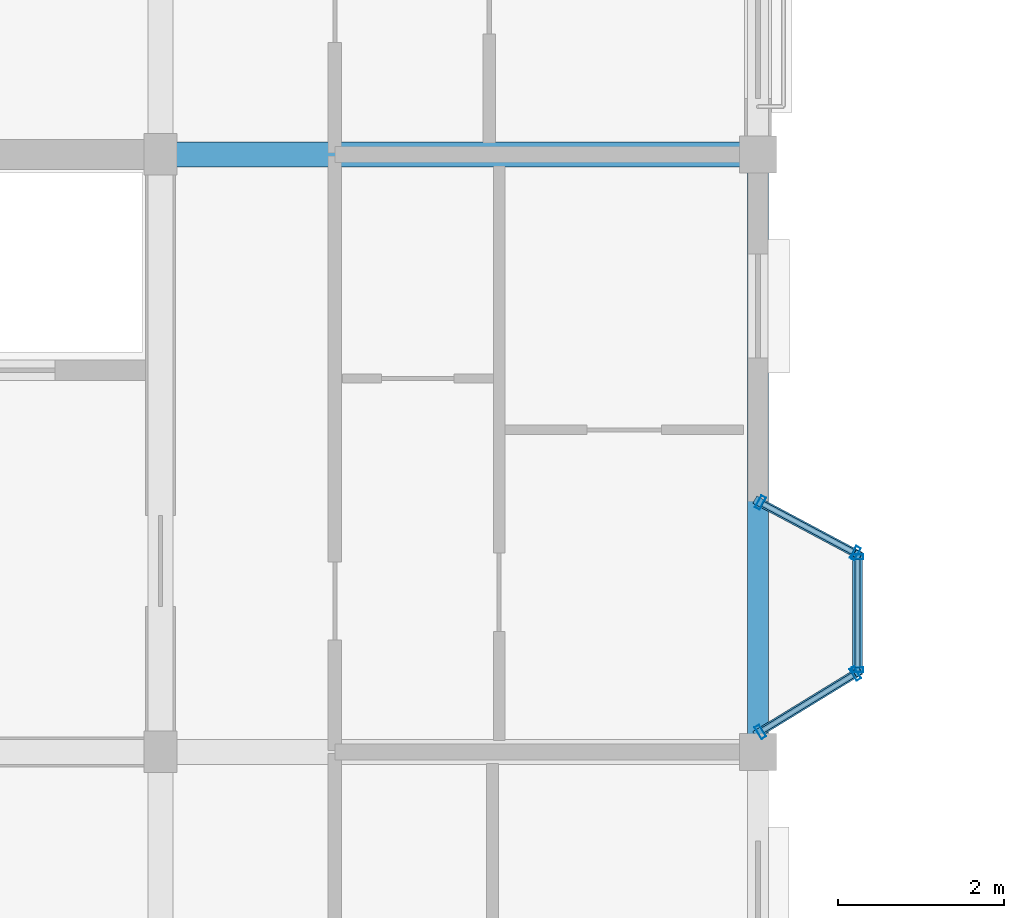
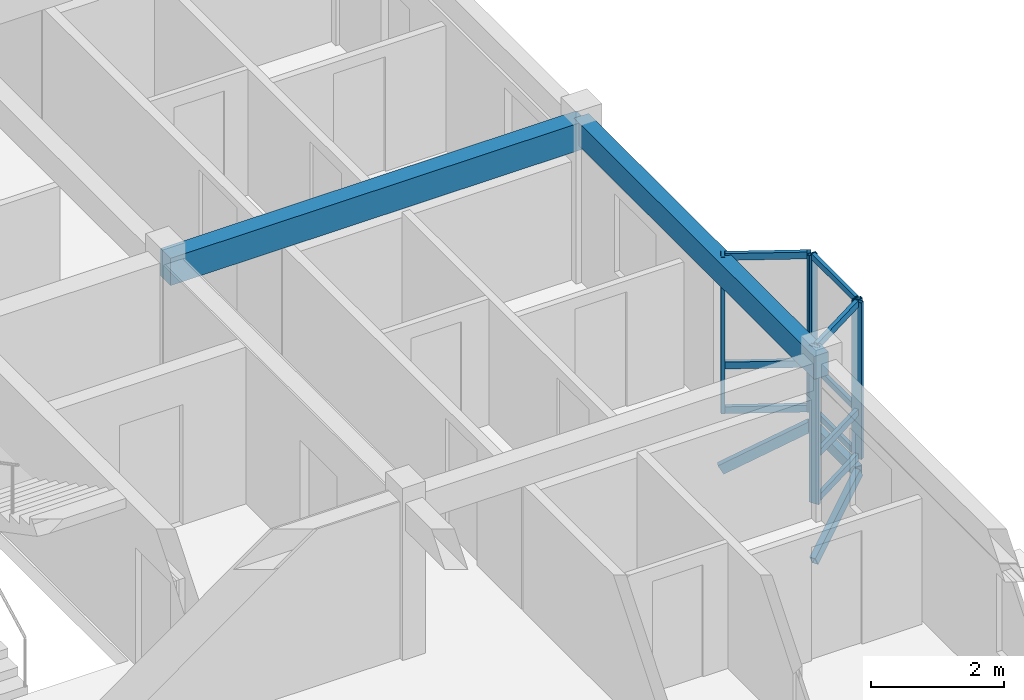
# One storey, part 7 of 28: 18 members, 2 beams, 3 elements without a shape of their own.
"""IFC4 building model written with IfcOpenShell, lengths in metres."""

from ifc_helpers import new_model, si_unit, direction, frame, origin, origin_2d, place, context, subcontext, project, spatial, rectangle, hollow_rectangle, extrude, material, layer, layer_set, material_profile, profile_set, type_object, element, aggregate, save


model = new_model("IFC4")

# Units and contexts
model_context = context("Model", 3, precision=1e-05, world=origin(), true_north=direction((0.0, 1.0)))
body_context = subcontext(model_context, "Body", "Model", "MODEL_VIEW")
ifc_project = project(units=[si_unit("LENGTHUNIT", "METRE"), si_unit("AREAUNIT", "SQUARE_METRE"), si_unit("VOLUMEUNIT", "CUBIC_METRE"), si_unit("PLANEANGLEUNIT", "RADIAN"), si_unit("MASSUNIT", "GRAM", prefix="KILO"), si_unit("THERMODYNAMICTEMPERATUREUNIT", "KELVIN"), si_unit("POWERUNIT", "WATT")], contexts=[model_context])

# Site, building, storey
site_placement = place(None, origin())
site = spatial("IfcSite", under=ifc_project, at=site_placement, CompositionType="ELEMENT")
building_placement = place(site_placement, origin())
building = spatial("IfcBuilding", under=site, at=building_placement, Name="Tavuni Mirador Residences", CompositionType="ELEMENT")
storey_placement = place(building_placement, frame((0.0, 0.0, 39.14990234375)))
storey = spatial("IfcBuildingStorey", under=building, at=storey_placement, Name="L12", CompositionType="ELEMENT", Elevation=39.14990234375)

# Beams
ifc_material_1 = material(Name="Precast concrete C40/50", Category="concrete")
ifc_material_profile_1 = material_profile(ifc_material_1, rectangle(XDim=0.300048828125, YDim=0.5, at=origin_2d()), Name="PC 300x500", Category="concrete")
ifc_profile_set_1 = profile_set([ifc_material_profile_1], Name="Precast concrete C40/50")
beam_type_1 = type_object("IfcBeamType", Name="BT-B500", PredefinedType="BEAM", material=ifc_profile_set_1)
beam_1_placement = place(storey_placement, frame((18.0, 21.60009765625, 2.6201171875), z_axis=(1.0, 0.0, 0.0), x_axis=(0.0, 1.0, 0.0)))
element("IfcBeam", 1, at=beam_1_placement, inside=storey, type_object=beam_type_1, Name="BMX-BLK-A-L12-02-02", PredefinedType="BEAM", context=body_context, shape_type="SweptSolid", body=[
    extrude(rectangle(XDim=0.300048828125, YDim=0.5, at=origin_2d()), origin(), (0.0, 0.0, 1.0), 7.199951171875),
])
ifc_material_profile_2 = material_profile(ifc_material_1, rectangle(XDim=0.25, YDim=0.419921875, at=origin_2d()), Name="PC 250x420", Category="concrete")
ifc_profile_set_2 = profile_set([ifc_material_profile_2], Name="Precast concrete C40/50")
beam_type_2 = type_object("IfcBeamType", Name="BT-SP420", PredefinedType="SPANDREL", material=ifc_profile_set_2)
beam_2_placement = place(storey_placement, frame((25.199951171875, 14.39990234375, 2.66015625), z_axis=(0.0, 1.0, 0.0), x_axis=(-1.0, 0.0, 0.0)))
element("IfcBeam", 2, at=beam_2_placement, inside=storey, type_object=beam_type_2, Name="BMY-BLK-A-L12-03-01", PredefinedType="SPANDREL", context=body_context, shape_type="SweptSolid", body=[
    extrude(rectangle(XDim=0.25, YDim=0.419921875, at=origin_2d()), origin(), (0.0, 0.0, 1.0), 7.2001953125),
])

# Curtain wall, members
ifc_material_2 = material(Name="Anodised aluminium", Category="aluminium")
ifc_layer_1 = layer(ifc_material_2, 0.175048828125, Name="Anodised aluminium", Category="aluminium")
ifc_layer_set_1 = layer_set([ifc_layer_1], Name="Anodised aluminium")
curtain_wall_type_1 = type_object("IfcCurtainWallType", Name="CWT-MIR-C", PredefinedType="NOTDEFINED", material=ifc_layer_set_1)
curtain_wall_1_placement = place(storey_placement, origin())
curtain_wall_1 = element("IfcCurtainWall", 3, at=curtain_wall_1_placement, inside=storey, type_object=curtain_wall_type_1, Name="CW-MIR-A-EU-L12-MF", PredefinedType="NOTDEFINED")
ifc_material_profile_3 = material_profile(ifc_material_2, hollow_rectangle(XDim=0.06005859375, YDim=0.139892578125, WallThickness=0.00390625, at=origin_2d()), Name="ALU 60x140x4.0", Category="aluminium")
ifc_profile_set_3 = profile_set([ifc_material_profile_3], Name="Anodised aluminium")
member_type_1 = type_object("IfcMemberType", Name="CWM-140", PredefinedType="MULLION", material=ifc_profile_set_3)
member_1_placement = place(storey_placement, frame((26.39990234375, 15.389892578125, 0.0), z_axis=(0.0, 0.0, 1.0), x_axis=(0.0, 1.0, 0.0)))
member_1 = element("IfcMember", 4, at=member_1_placement, type_object=member_type_1, Name="CW-03 mullion 1", PredefinedType="MULLION", context=body_context, shape_type="SweptSolid", body=[
    extrude(hollow_rectangle(XDim=0.06005859375, YDim=0.139892578125, WallThickness=0.00390625, at=origin_2d()), origin(), (0.0, 0.0, 1.0), 2.8701171875),
])
member_2_placement = place(storey_placement, frame((26.39990234375, 16.75, 0.0), z_axis=(0.0, 0.0, 1.0), x_axis=(0.0, 1.0, 0.0)))
member_2 = element("IfcMember", 5, at=member_2_placement, type_object=member_type_1, Name="CW-03 mullion 2", PredefinedType="MULLION", context=body_context, shape_type="SweptSolid", body=[
    extrude(hollow_rectangle(XDim=0.06005859375, YDim=0.139892578125, WallThickness=0.00390625, at=origin_2d()), origin(), (0.0, 0.0, 1.0), 2.8701171875),
])

ifc_layer_2 = layer(ifc_material_2, 0.14990234375, Name="Anodised aluminium", Category="aluminium")
ifc_layer_set_2 = layer_set([ifc_layer_2], Name="Anodised aluminium")
curtain_wall_type_2 = type_object("IfcCurtainWallType", Name="CWT-MIR-B", PredefinedType="NOTDEFINED", material=ifc_layer_set_2)
curtain_wall_2_placement = place(storey_placement, origin())
curtain_wall_2 = element("IfcCurtainWall", 6, at=curtain_wall_2_placement, inside=storey, type_object=curtain_wall_type_2, Name="CW-MIR-A-EU-L12-M1", PredefinedType="NOTDEFINED")
ifc_material_profile_4 = material_profile(ifc_material_2, hollow_rectangle(XDim=0.06494140625, YDim=0.1650390625, WallThickness=0.00439453125, at=origin_2d()), Name="ALU 65x165x4.5", Category="aluminium")
ifc_profile_set_4 = profile_set([ifc_material_profile_4], Name="Anodised aluminium")
member_type_2 = type_object("IfcMemberType", Name="CWM-165", PredefinedType="MULLION", material=ifc_profile_set_4)
member_3_placement = place(storey_placement, frame((25.227783203125, 14.64208984375, 0.0), z_axis=(0.0, 0.0, 1.0), x_axis=(0.852754414845, 0.522312079088, 0.0)))
member_3 = element("IfcMember", 7, at=member_3_placement, type_object=member_type_2, Name="CW-02 mullion 1", PredefinedType="MULLION", context=body_context, shape_type="SweptSolid", body=[
    extrude(hollow_rectangle(XDim=0.06494140625, YDim=0.1650390625, WallThickness=0.00439453125, at=origin_2d()), origin(), (0.0, 0.0, 1.0), 2.8701171875),
])
member_4_placement = place(storey_placement, frame((26.372314453125, 15.343017578125, 0.0), z_axis=(0.0, 0.0, 1.0), x_axis=(0.852754414845, 0.522312079088, 0.0)))
member_4 = element("IfcMember", 8, at=member_4_placement, type_object=member_type_2, Name="CW-02 mullion 2", PredefinedType="MULLION", context=body_context, shape_type="SweptSolid", body=[
    extrude(hollow_rectangle(XDim=0.06494140625, YDim=0.1650390625, WallThickness=0.00439453125, at=origin_2d()), origin(), (0.0, 0.0, 1.0), 2.8701171875),
])

ifc_layer_3 = layer(ifc_material_2, 0.159912109375, Name="Anodised aluminium", Category="aluminium")
ifc_layer_set_3 = layer_set([ifc_layer_3], Name="Anodised aluminium")
curtain_wall_type_3 = type_object("IfcCurtainWallType", Name="CWT-MIR-D", PredefinedType="NOTDEFINED", material=ifc_layer_set_3)
curtain_wall_3_placement = place(storey_placement, origin())
curtain_wall_3 = element("IfcCurtainWall", 9, at=curtain_wall_3_placement, inside=storey, type_object=curtain_wall_type_3, Name="CW-MIR-A-EU-L12-M2", PredefinedType="NOTDEFINED")
member_5_placement = place(storey_placement, frame((26.371337890625, 16.79541015625, 0.0), z_axis=(0.0, 0.0, 1.0), x_axis=(-0.882352941175, 0.470588235296, 0.0)))
member_5 = element("IfcMember", 10, at=member_5_placement, type_object=member_type_2, Name="CW-04 mullion 1", PredefinedType="MULLION", context=body_context, shape_type="SweptSolid", body=[
    extrude(hollow_rectangle(XDim=0.06494140625, YDim=0.1650390625, WallThickness=0.00439453125, at=origin_2d()), origin(), (0.0, 0.0, 1.0), 2.8701171875),
])
member_6_placement = place(storey_placement, frame((25.228759765625, 17.40478515625, 0.0), z_axis=(0.0, 0.0, 1.0), x_axis=(-0.882352941175, 0.470588235296, 0.0)))
member_6 = element("IfcMember", 11, at=member_6_placement, type_object=member_type_2, Name="CW-04 mullion 2", PredefinedType="MULLION", context=body_context, shape_type="SweptSolid", body=[
    extrude(hollow_rectangle(XDim=0.06494140625, YDim=0.1650390625, WallThickness=0.00439453125, at=origin_2d()), origin(), (0.0, 0.0, 1.0), 2.8701171875),
])

# Member
ifc_material_profile_5 = material_profile(ifc_material_2, hollow_rectangle(XDim=0.06005859375, YDim=0.110107421875, WallThickness=0.00390625, at=origin_2d()), Name="ALU 60x110x4.0", Category="aluminium")
ifc_profile_set_5 = profile_set([ifc_material_profile_5], Name="Anodised aluminium")
member_type_3 = type_object("IfcMemberType", Name="CWT-110", PredefinedType="USERDEFINED", material=ifc_profile_set_5)
member_7_placement = place(storey_placement, frame((26.39990234375, 15.419921875, 0.030029296875), z_axis=(0.0, 1.0, 0.0), x_axis=(-1.0, 0.0, 0.0)))
member_7 = element("IfcMember", 12, at=member_7_placement, type_object=member_type_3, Name="CW-03 transom 1.1", ObjectType="TRANSOM", PredefinedType="USERDEFINED", context=body_context, shape_type="SweptSolid", body=[
    extrude(hollow_rectangle(XDim=0.06005859375, YDim=0.110107421875, WallThickness=0.00390625, at=origin_2d()), origin(), (0.0, 0.0, 1.0), 1.300048828125),
])

member_8_placement = place(storey_placement, frame((26.39990234375, 15.419921875, 0.85009765625), z_axis=(0.0, 1.0, 0.0), x_axis=(-1.0, 0.0, 0.0)))
member_8 = element("IfcMember", 13, at=member_8_placement, type_object=member_type_3, Name="CW-03 transom 1.2", ObjectType="TRANSOM", PredefinedType="USERDEFINED", context=body_context, shape_type="SweptSolid", body=[
    extrude(hollow_rectangle(XDim=0.06005859375, YDim=0.110107421875, WallThickness=0.00390625, at=origin_2d()), origin(), (0.0, 0.0, 1.0), 1.300048828125),
])

member_9_placement = place(storey_placement, frame((26.39990234375, 15.419921875, 2.840087890625), z_axis=(0.0, 1.0, 0.0), x_axis=(-1.0, 0.0, 0.0)))
member_9 = element("IfcMember", 14, at=member_9_placement, type_object=member_type_3, Name="CW-03 transom 1.3", ObjectType="TRANSOM", PredefinedType="USERDEFINED", context=body_context, shape_type="SweptSolid", body=[
    extrude(hollow_rectangle(XDim=0.06005859375, YDim=0.110107421875, WallThickness=0.00390625, at=origin_2d()), origin(), (0.0, 0.0, 1.0), 1.300048828125),
])

aggregate(curtain_wall_1, [member_1, member_2, member_7, member_8, member_9])

ifc_material_profile_6 = material_profile(ifc_material_2, hollow_rectangle(XDim=0.06494140625, YDim=0.125, WallThickness=0.00439453125, at=origin_2d()), Name="ALU 65x125x4.5", Category="aluminium")
ifc_profile_set_6 = profile_set([ifc_material_profile_6], Name="Anodised aluminium")
member_type_4 = type_object("IfcMemberType", Name="CWT-125", PredefinedType="USERDEFINED", material=ifc_profile_set_6)
member_10_placement = place(storey_placement, frame((25.25537109375, 14.658935546875, 0.03271484375), z_axis=(0.852785278585, 0.522261685966, 0.0), x_axis=(-0.522261685966, 0.852785278585, 0.0)))
member_10 = element("IfcMember", 15, at=member_10_placement, type_object=member_type_4, Name="CW-02 transom 1.1", ObjectType="TRANSOM", PredefinedType="USERDEFINED", context=body_context, shape_type="SweptSolid", body=[
    extrude(hollow_rectangle(XDim=0.06494140625, YDim=0.125, WallThickness=0.00439453125, at=origin_2d()), origin(), (0.0, 0.0, 1.0), 1.277099609375),
])

member_11_placement = place(storey_placement, frame((25.25537109375, 14.658935546875, 0.85009765625), z_axis=(0.852785278585, 0.522261685966, 0.0), x_axis=(-0.522261685966, 0.852785278585, 0.0)))
member_11 = element("IfcMember", 16, at=member_11_placement, type_object=member_type_4, Name="CW-02 transom 1.2", ObjectType="TRANSOM", PredefinedType="USERDEFINED", context=body_context, shape_type="SweptSolid", body=[
    extrude(hollow_rectangle(XDim=0.06494140625, YDim=0.125, WallThickness=0.00439453125, at=origin_2d()), origin(), (0.0, 0.0, 1.0), 1.277099609375),
])

member_12_placement = place(storey_placement, frame((25.25537109375, 14.658935546875, 2.837646484375), z_axis=(0.852785278585, 0.522261685966, 0.0), x_axis=(-0.522261685966, 0.852785278585, 0.0)))
member_12 = element("IfcMember", 17, at=member_12_placement, type_object=member_type_4, Name="CW-02 transom 1.3", ObjectType="TRANSOM", PredefinedType="USERDEFINED", context=body_context, shape_type="SweptSolid", body=[
    extrude(hollow_rectangle(XDim=0.06494140625, YDim=0.125, WallThickness=0.00439453125, at=origin_2d()), origin(), (0.0, 0.0, 1.0), 1.277099609375),
])

aggregate(curtain_wall_2, [member_3, member_4, member_10, member_11, member_12])

member_13_placement = place(storey_placement, frame((26.342529296875, 16.810546875, 0.03271484375), z_axis=(-0.882325465843, 0.470639747922, 0.0), x_axis=(-0.470639747922, -0.882325465843, 0.0)))
member_13 = element("IfcMember", 18, at=member_13_placement, type_object=member_type_4, Name="CW-04 transom 1.1", ObjectType="TRANSOM", PredefinedType="USERDEFINED", context=body_context, shape_type="SweptSolid", body=[
    extrude(hollow_rectangle(XDim=0.06494140625, YDim=0.125, WallThickness=0.00439453125, at=origin_2d()), origin(), (0.0, 0.0, 1.0), 1.22998046875),
])

member_14_placement = place(storey_placement, frame((26.342529296875, 16.810546875, 0.85009765625), z_axis=(-0.882325465843, 0.470639747922, 0.0), x_axis=(-0.470639747922, -0.882325465843, 0.0)))
member_14 = element("IfcMember", 19, at=member_14_placement, type_object=member_type_4, Name="CW-04 transom 1.2", ObjectType="TRANSOM", PredefinedType="USERDEFINED", context=body_context, shape_type="SweptSolid", body=[
    extrude(hollow_rectangle(XDim=0.06494140625, YDim=0.125, WallThickness=0.00439453125, at=origin_2d()), origin(), (0.0, 0.0, 1.0), 1.22998046875),
])

member_15_placement = place(storey_placement, frame((26.342529296875, 16.810546875, 2.837646484375), z_axis=(-0.882325465843, 0.470639747922, 0.0), x_axis=(-0.470639747922, -0.882325465843, 0.0)))
member_15 = element("IfcMember", 20, at=member_15_placement, type_object=member_type_4, Name="CW-04 transom 1.3", ObjectType="TRANSOM", PredefinedType="USERDEFINED", context=body_context, shape_type="SweptSolid", body=[
    extrude(hollow_rectangle(XDim=0.06494140625, YDim=0.125, WallThickness=0.00439453125, at=origin_2d()), origin(), (0.0, 0.0, 1.0), 1.22998046875),
])

aggregate(curtain_wall_3, [member_5, member_6, member_13, member_14, member_15])

# Members
ifc_material_3 = material(Name="Structural steel S355", Category="steel")
ifc_material_profile_7 = material_profile(ifc_material_3, hollow_rectangle(XDim=0.10009765625, YDim=0.179931640625, WallThickness=0.008056640625, at=origin_2d()), Name="RHS 180x100x8.0", Category="steel")
ifc_profile_set_7 = profile_set([ifc_material_profile_7], Name="Structural steel S355")
member_type_5 = type_object("IfcMemberType", Name="MT-BR-RHS180", PredefinedType="BRACE", material=ifc_profile_set_7)
member_16_placement = place(storey_placement, frame((25.199951171875, 14.625, -1.0498046875), z_axis=(0.74804402092, 0.458262573142, 0.480026620953), x_axis=(-0.522383043033, 0.852710945369, 0.0)))
element("IfcMember", 21, at=member_16_placement, inside=storey, type_object=member_type_5, Name="MBRK-MIR-A-EU-L12-1", PredefinedType="BRACE", context=body_context, shape_type="SweptSolid", body=[
    extrude(hollow_rectangle(XDim=0.10009765625, YDim=0.179931640625, WallThickness=0.008056640625, at=origin_2d()), origin(), (0.0, 0.0, 1.0), 1.60400390625),
])
member_17_placement = place(storey_placement, frame((25.199951171875, 17.419921875, -1.0498046875), z_axis=(0.767832085801, -0.409458371696, 0.492724801346), x_axis=(0.47054164445, 0.882377788047, 0.0)))
element("IfcMember", 22, at=member_17_placement, inside=storey, type_object=member_type_5, Name="MBRK-MIR-A-EU-L12-2", PredefinedType="BRACE", context=body_context, shape_type="SweptSolid", body=[
    extrude(hollow_rectangle(XDim=0.10009765625, YDim=0.179931640625, WallThickness=0.008056640625, at=origin_2d()), origin(), (0.0, 0.0, 1.0), 1.562744140625),
])
ifc_material_profile_8 = material_profile(ifc_material_3, hollow_rectangle(XDim=0.1201171875, YDim=0.199951171875, WallThickness=0.010009765625, at=origin_2d()), Name="RHS 200x120x10.0", Category="steel")
ifc_profile_set_8 = profile_set([ifc_material_profile_8], Name="Structural steel S355")
member_type_6 = type_object("IfcMemberType", Name="MT-ST-RHS200", PredefinedType="STRUT", material=ifc_profile_set_8)
member_18_placement = place(storey_placement, frame((26.39990234375, 15.360107421875, -0.27978515625), z_axis=(0.0, 1.0, 0.0), x_axis=(-1.0, 0.0, 0.0)))
element("IfcMember", 23, at=member_18_placement, inside=storey, type_object=member_type_6, Name="MRIM-MIR-A-EU-L12", PredefinedType="STRUT", context=body_context, shape_type="SweptSolid", body=[
    extrude(hollow_rectangle(XDim=0.1201171875, YDim=0.199951171875, WallThickness=0.010009765625, at=origin_2d()), origin(), (0.0, 0.0, 1.0), 1.419921875),
])

save(model, "model.ifc")
